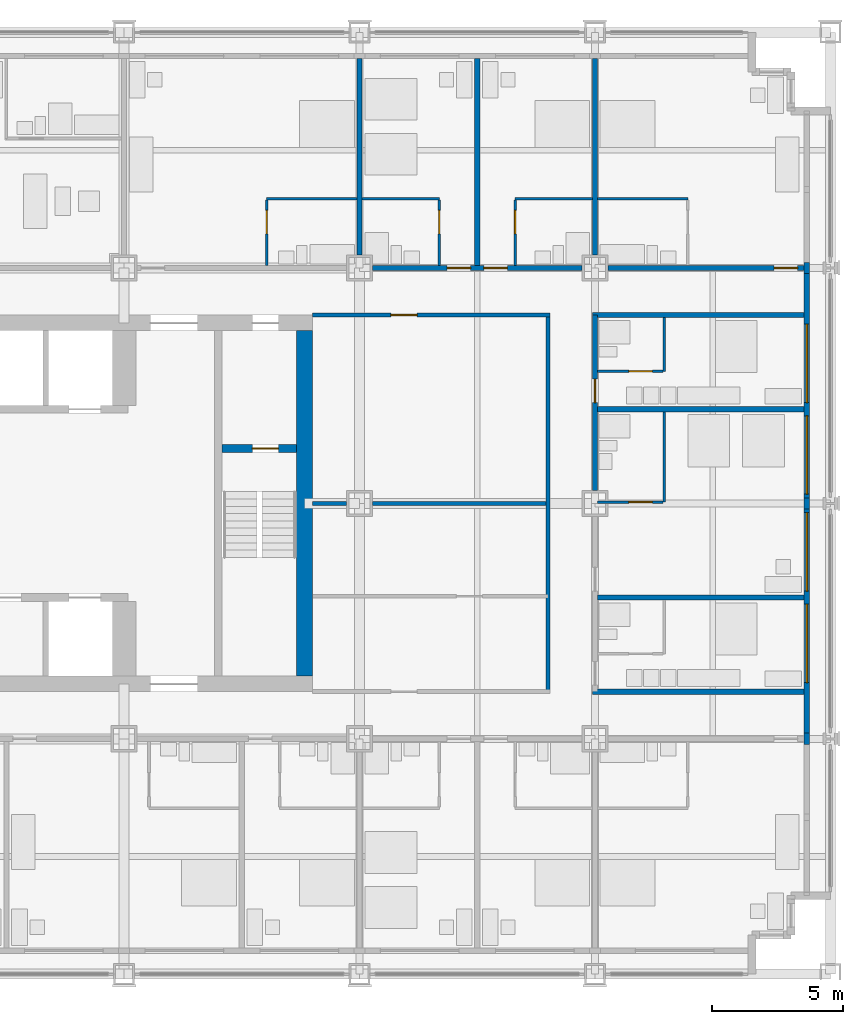
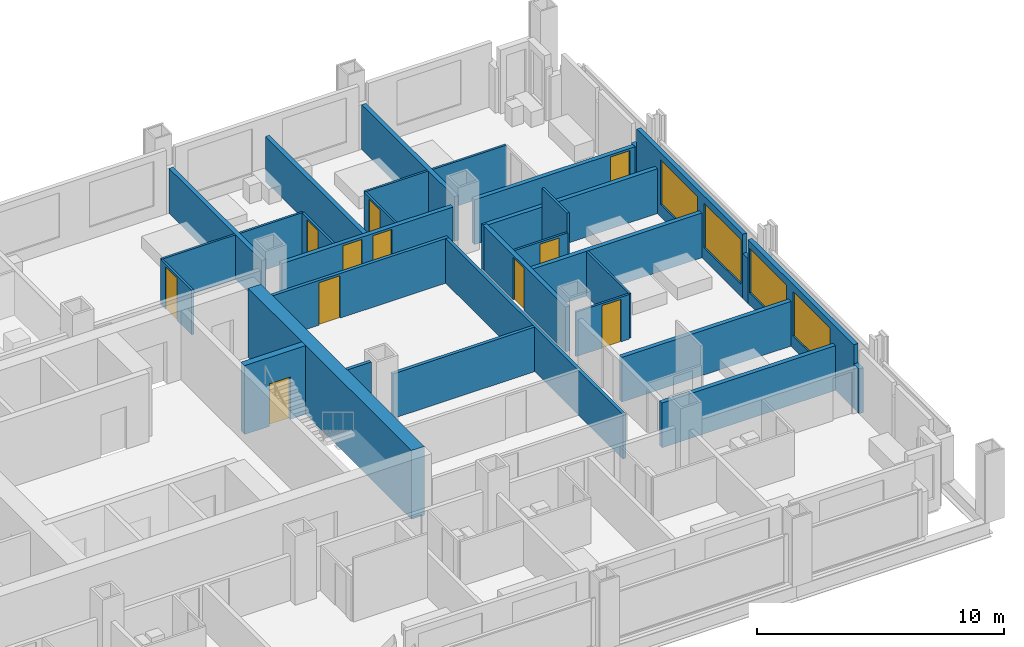
# One storey, part 14 of 19: 32 walls, 11 doors, 4 windows, 15 openings.
"""IFC4 building model written with IfcOpenShell, lengths in metres."""

from ifc_helpers import new_model, si_unit, direction, frame, frame_2d, origin, place, context, subcontext, project, spatial, rectangle, extrude, material, layer, layer_set, type_object, element, fill, save


model = new_model("IFC4")

# Units and contexts
model_context = context("Model", 3, precision=1e-05, world=origin(), true_north=direction((0.0, 1.0)))
body_context = subcontext(model_context, "Body", "Model", "MODEL_VIEW")
ifc_project = project(units=[si_unit("LENGTHUNIT", "METRE"), si_unit("AREAUNIT", "SQUARE_METRE"), si_unit("VOLUMEUNIT", "CUBIC_METRE"), si_unit("PLANEANGLEUNIT", "RADIAN"), si_unit("MASSUNIT", "GRAM", prefix="KILO")], contexts=[model_context])

# Site, building, storey
site_placement = place(None, origin())
site = spatial("IfcSite", under=ifc_project, at=site_placement, CompositionType="ELEMENT")
building_placement = place(site_placement, origin())
building = spatial("IfcBuilding", under=site, at=building_placement, Name="Loomwork Tower", CompositionType="ELEMENT")
storey_placement = place(building_placement, frame((0.0, 0.0, 85.800048828125)))
storey = spatial("IfcBuildingStorey", under=building, at=storey_placement, Name="L22", CompositionType="ELEMENT", Elevation=85.800048828125)

# Wall, opening, door
ifc_material_1 = material(Name="Concrete 14000 psi (97 MPa)", Category="concrete")
ifc_layer_1 = layer(ifc_material_1, 0.300048828125)
ifc_layer_set_1 = layer_set([ifc_layer_1], Name="Core shear wall 300")
wall_type_1 = type_object("IfcWallType", Name="Core shear wall 300", PredefinedType="SHEAR", material=ifc_layer_set_1)
wall_1_placement = place(storey_placement, frame((30.75, 20.10009765625, 0.0), z_axis=(0.0, 0.0, 1.0), x_axis=(1.0, 0.0, 0.0)))
wall_1 = element("IfcWall", 1, at=wall_1_placement, inside=storey, type_object=wall_type_1, Name="Stair B north wall L22", PredefinedType="SHEAR", context=body_context, shape_type="SweptSolid", body=[
    extrude(rectangle(XDim=2.85009765625, YDim=0.300048828125, at=frame_2d((1.425048828125, 0.0))), origin(), (0.0, 0.0, 1.0), 3.39990234375),
])
opening_1_placement = place(wall_1_placement, frame((1.14990234375, 0.0, 0.0)))
opening_1 = element("IfcOpeningElement", 2, at=opening_1_placement, cuts=wall_1, Name="Opening D4", PredefinedType="OPENING", context=body_context, shape_type="SweptSolid", body=[
    extrude(rectangle(XDim=1.0, YDim=2.10009765625, at=frame_2d((0.5, 1.050048828125))), frame((0.0, 0.159912109375, 0.0), z_axis=(0.0, -1.0, 0.0), x_axis=(1.0, 0.0, 0.0)), (0.0, 0.0, 1.0), 0.320068359375),
])
ifc_material_2 = material(Name="Hollow metal door and frame")
door_type_1 = type_object("IfcDoorType", Name="Stair door 1000", OperationType="SINGLE_SWING_RIGHT", PredefinedType="DOOR", material=ifc_material_2)
door_1_placement = place(opening_1_placement, frame((1.0, 0.0, 0.0), z_axis=(0.0, 0.0, 1.0), x_axis=(-1.0, 0.0, 0.0)))
door_1 = element("IfcDoor", 3, at=door_1_placement, inside=storey, type_object=door_type_1, Name="Stair B door", OperationType="SINGLE_SWING_LEFT", OverallHeight=2.10009765625, OverallWidth=1.0, PredefinedType="DOOR", context=body_context, shape_type="SweptSolid", body=[
    extrude(rectangle(XDim=1.0, YDim=2.10009765625, at=frame_2d((0.5, 1.050048828125))), frame((0.0, 0.02490234375, 0.0), z_axis=(0.0, -1.0, 0.0), x_axis=(1.0, 0.0, 0.0)), (0.0, 0.0, 1.0), 0.050048828125),
])
fill(opening_1, door_1)

# Wall
ifc_material_3 = material(Name="Concrete 14000 psi (97 MPa)", Category="concrete")
ifc_layer_2 = layer(ifc_material_3, 0.60009765625)
ifc_layer_set_2 = layer_set([ifc_layer_2], Name="Core shear wall 600")
wall_type_2 = type_object("IfcWallType", Name="Core shear wall 600", PredefinedType="SHEAR", material=ifc_layer_set_2)
wall_2_placement = place(storey_placement, frame((33.89990234375, 11.39990234375, 0.0), z_axis=(0.0, 0.0, 1.0), x_axis=(0.0, 1.0, 0.0)))
element("IfcWall", 4, at=wall_2_placement, inside=storey, type_object=wall_type_2, Name="Core wall east L22", PredefinedType="SHEAR", context=body_context, shape_type="SweptSolid", body=[
    extrude(rectangle(XDim=13.2001953125, YDim=0.60009765625, at=frame_2d((6.60009765625, 0.0))), origin(), (0.0, 0.0, 1.0), 3.39990234375),
])

# Wall, openings, doors
ifc_material_4 = material(Name="Gypsum board on steel studs, one-hour", Category="steel")
ifc_layer_3 = layer(ifc_material_4, 0.199951171875)
ifc_layer_set_3 = layer_set([ifc_layer_3], Name="Corridor wall 200")
wall_type_3 = type_object("IfcWallType", Name="Corridor wall 200", PredefinedType="PARTITIONING", material=ifc_layer_set_3)
wall_3_placement = place(storey_placement, frame((36.5, 27.0, 0.0), z_axis=(0.0, 0.0, 1.0), x_axis=(1.0, 0.0, 0.0)))
wall_3 = element("IfcWall", 5, at=wall_3_placement, inside=storey, type_object=wall_type_3, Name="North corridor wall 5", PredefinedType="PARTITIONING", context=body_context, shape_type="SweptSolid", body=[
    extrude(rectangle(XDim=8.0, YDim=0.199951171875, at=frame_2d((4.0, 0.0))), origin(), (0.0, 0.0, 1.0), 2.210205078125),
])
opening_2_placement = place(wall_3_placement, frame((2.85009765625, 0.0, 0.0)))
opening_2 = element("IfcOpeningElement", 6, at=opening_2_placement, cuts=wall_3, Name="Opening D1", PredefinedType="OPENING", context=body_context, shape_type="SweptSolid", body=[
    extrude(rectangle(XDim=0.89990234375, YDim=2.10009765625, at=frame_2d((0.449951171875, 1.050048828125))), frame((0.0, 0.10986328125, 0.0), z_axis=(0.0, -1.0, 0.0), x_axis=(1.0, 0.0, 0.0)), (0.0, 0.0, 1.0), 0.219970703125),
])
opening_3_placement = place(wall_3_placement, frame((4.25, 0.0, 0.0)))
opening_3 = element("IfcOpeningElement", 7, at=opening_3_placement, cuts=wall_3, Name="Opening D1", PredefinedType="OPENING", context=body_context, shape_type="SweptSolid", body=[
    extrude(rectangle(XDim=0.89990234375, YDim=2.10009765625, at=frame_2d((0.449951171875, 1.050048828125))), frame((0.0, 0.10986328125, 0.0), z_axis=(0.0, -1.0, 0.0), x_axis=(1.0, 0.0, 0.0)), (0.0, 0.0, 1.0), 0.219970703125),
])
ifc_material_5 = material(Name="Hollow metal door and frame")
door_type_2 = type_object("IfcDoorType", Name="Guest room entry door 900", OperationType="SINGLE_SWING_LEFT", PredefinedType="DOOR", material=ifc_material_5)
door_2_placement = place(opening_2_placement, origin())
door_2 = element("IfcDoor", 8, at=door_2_placement, inside=storey, type_object=door_type_2, Name="Guest room entry door L22 15", OperationType="SINGLE_SWING_RIGHT", OverallHeight=2.10009765625, OverallWidth=0.89990234375, PredefinedType="DOOR", context=body_context, shape_type="SweptSolid", body=[
    extrude(rectangle(XDim=0.89990234375, YDim=2.10009765625, at=frame_2d((0.449951171875, 1.050048828125))), frame((0.0, 0.02490234375, 0.0), z_axis=(0.0, -1.0, 0.0), x_axis=(1.0, 0.0, 0.0)), (0.0, 0.0, 1.0), 0.050048828125),
])
fill(opening_2, door_2)
door_3_placement = place(opening_3_placement, origin())
door_3 = element("IfcDoor", 9, at=door_3_placement, inside=storey, type_object=door_type_2, Name="Guest room entry door L22 16", OperationType="SINGLE_SWING_LEFT", OverallHeight=2.10009765625, OverallWidth=0.89990234375, PredefinedType="DOOR", context=body_context, shape_type="SweptSolid", body=[
    extrude(rectangle(XDim=0.89990234375, YDim=2.10009765625, at=frame_2d((0.449951171875, 1.050048828125))), frame((0.0, 0.02490234375, 0.0), z_axis=(0.0, -1.0, 0.0), x_axis=(1.0, 0.0, 0.0)), (0.0, 0.0, 1.0), 0.050048828125),
])
fill(opening_3, door_3)

# Wall, opening, door
wall_4_placement = place(storey_placement, frame((45.5, 27.0, 0.0), z_axis=(0.0, 0.0, 1.0), x_axis=(1.0, 0.0, 0.0)))
wall_4 = element("IfcWall", 10, at=wall_4_placement, inside=storey, type_object=wall_type_3, Name="North corridor wall 6", PredefinedType="PARTITIONING", context=body_context, shape_type="SweptSolid", body=[
    extrude(rectangle(XDim=7.5, YDim=0.199951171875, at=frame_2d((3.75, 0.0))), origin(), (0.0, 0.0, 1.0), 2.210205078125),
])
opening_4_placement = place(wall_4_placement, frame((6.35009765625, 0.0, 0.0)))
opening_4 = element("IfcOpeningElement", 11, at=opening_4_placement, cuts=wall_4, Name="Opening D1", PredefinedType="OPENING", context=body_context, shape_type="SweptSolid", body=[
    extrude(rectangle(XDim=0.89990234375, YDim=2.10009765625, at=frame_2d((0.449951171875, 1.050048828125))), frame((0.0, 0.10986328125, 0.0), z_axis=(0.0, -1.0, 0.0), x_axis=(1.0, 0.0, 0.0)), (0.0, 0.0, 1.0), 0.219970703125),
])
door_4_placement = place(opening_4_placement, origin())
door_4 = element("IfcDoor", 12, at=door_4_placement, inside=storey, type_object=door_type_2, Name="Guest room entry door L22 17", OperationType="SINGLE_SWING_RIGHT", OverallHeight=2.10009765625, OverallWidth=0.89990234375, PredefinedType="DOOR", context=body_context, shape_type="SweptSolid", body=[
    extrude(rectangle(XDim=0.89990234375, YDim=2.10009765625, at=frame_2d((0.449951171875, 1.050048828125))), frame((0.0, 0.02490234375, 0.0), z_axis=(0.0, -1.0, 0.0), x_axis=(1.0, 0.0, 0.0)), (0.0, 0.0, 1.0), 0.050048828125),
])
fill(opening_4, door_4)

wall_5_placement = place(storey_placement, frame((45.0, 18.5, 0.0), z_axis=(0.0, 0.0, 1.0), x_axis=(0.0, 1.0, 0.0)))
wall_5 = element("IfcWall", 13, at=wall_5_placement, inside=storey, type_object=wall_type_3, Name="East corridor wall 2", PredefinedType="PARTITIONING", context=body_context, shape_type="SweptSolid", body=[
    extrude(rectangle(XDim=6.699951171875, YDim=0.199951171875, at=frame_2d((3.35009765625, 0.0))), origin(), (0.0, 0.0, 1.0), 2.210205078125),
])
opening_5_placement = place(wall_5_placement, frame((3.35009765625, 0.0, 0.0)))
opening_5 = element("IfcOpeningElement", 14, at=opening_5_placement, cuts=wall_5, Name="Opening D1", PredefinedType="OPENING", context=body_context, shape_type="SweptSolid", body=[
    extrude(rectangle(XDim=0.89990234375, YDim=2.10009765625, at=frame_2d((0.449951171875, 1.050048828125))), frame((0.0, 0.10986328125, 0.0), z_axis=(0.0, -1.0, 0.0), x_axis=(1.0, 0.0, 0.0)), (0.0, 0.0, 1.0), 0.219970703125),
])
door_5_placement = place(opening_5_placement, frame((0.89990234375, 0.0, 0.0), z_axis=(0.0, 0.0, 1.0), x_axis=(-1.0, 0.0, 0.0)))
door_5 = element("IfcDoor", 15, at=door_5_placement, inside=storey, type_object=door_type_2, Name="Guest room entry door L22 23", OperationType="SINGLE_SWING_RIGHT", OverallHeight=2.10009765625, OverallWidth=0.89990234375, PredefinedType="DOOR", context=body_context, shape_type="SweptSolid", body=[
    extrude(rectangle(XDim=0.89990234375, YDim=2.10009765625, at=frame_2d((0.449951171875, 1.050048828125))), frame((0.0, 0.02490234375, 0.0), z_axis=(0.0, -1.0, 0.0), x_axis=(1.0, 0.0, 0.0)), (0.0, 0.0, 1.0), 0.050048828125),
])
fill(opening_5, door_5)

# Walls
for number, where, z_axis, x_axis, name in (
    (16, (44.89990234375, 10.800048828125, 0.0), (0.0, 0.0, 1.0), (1.0, 0.0, 0.0), "East band end wall S"),
    (17, (44.89990234375, 25.199951171875, 0.0), (0.0, 0.0, 1.0), (1.0, 0.0, 0.0), "East band end wall N"),
):
    element("IfcWall", number, at=place(storey_placement, frame(where, z_axis=z_axis, x_axis=x_axis)), inside=storey, type_object=wall_type_3, Name=name, PredefinedType="PARTITIONING", context=body_context, shape_type="SweptSolid", body=[
        extrude(rectangle(XDim=8.10009765625, YDim=0.199951171875, at=frame_2d((4.050048828125, 0.0))), origin(), (0.0, 0.0, 1.0), 2.2099609375),
    ])
ifc_material_6 = material(Name="Cement board on steel studs", Category="steel")
ifc_layer_4 = layer(ifc_material_6, 0.10009765625)
ifc_layer_set_4 = layer_set([ifc_layer_4], Name="En-suite partition 100")
wall_type_4 = type_object("IfcWallType", Name="En-suite partition 100", PredefinedType="PARTITIONING", material=ifc_layer_set_4)
wall_6_placement = place(storey_placement, frame((32.449951171875, 29.64990234375, 0.0), z_axis=(0.0, 0.0, 1.0), x_axis=(1.0, 0.0, 0.0)))
element("IfcWall", 18, at=wall_6_placement, inside=storey, type_object=wall_type_4, Name="En-suite wall L22 room 14", PredefinedType="PARTITIONING", context=body_context, shape_type="SweptSolid", body=[
    extrude(rectangle(XDim=3.449951171875, YDim=0.10009765625, at=frame_2d((1.72509765625, 0.0))), origin(), (0.0, 0.0, 1.0), 2.2099609375),
])

# Wall, opening, door
wall_7_placement = place(storey_placement, frame((32.449951171875, 27.10009765625, 0.0), z_axis=(0.0, 0.0, 1.0), x_axis=(0.0, 1.0, 0.0)))
wall_7 = element("IfcWall", 19, at=wall_7_placement, inside=storey, type_object=wall_type_4, Name="En-suite side wall L22 room 14", PredefinedType="PARTITIONING", context=body_context, shape_type="SweptSolid", body=[
    extrude(rectangle(XDim=2.5, YDim=0.10009765625, at=frame_2d((1.25, 0.0))), origin(), (0.0, 0.0, 1.0), 2.2099609375),
])
opening_6_placement = place(wall_7_placement, frame((1.199951171875, 0.0, 0.0)))
opening_6 = element("IfcOpeningElement", 20, at=opening_6_placement, cuts=wall_7, Name="Opening D2", PredefinedType="OPENING", context=body_context, shape_type="SweptSolid", body=[
    extrude(rectangle(XDim=0.89990234375, YDim=2.10009765625, at=frame_2d((0.449951171875, 1.050048828125))), frame((0.0, 0.06005859375, 0.0), z_axis=(0.0, -1.0, 0.0), x_axis=(1.0, 0.0, 0.0)), (0.0, 0.0, 1.0), 0.1201171875),
])
ifc_material_7 = material(Name="Hollow metal door and frame")
door_type_3 = type_object("IfcDoorType", Name="En-suite door 900", OperationType="SINGLE_SWING_LEFT", PredefinedType="DOOR", material=ifc_material_7)
door_6_placement = place(opening_6_placement, frame((0.89990234375, 0.0, 0.0), z_axis=(0.0, 0.0, 1.0), x_axis=(-1.0, 0.0, 0.0)))
door_6 = element("IfcDoor", 21, at=door_6_placement, inside=storey, type_object=door_type_3, Name="En-suite door room 14", OperationType="SINGLE_SWING_LEFT", OverallHeight=2.10009765625, OverallWidth=0.89990234375, PredefinedType="DOOR", context=body_context, shape_type="SweptSolid", body=[
    extrude(rectangle(XDim=0.89990234375, YDim=2.10009765625, at=frame_2d((0.449951171875, 1.050048828125))), frame((0.0, 0.02490234375, 0.0), z_axis=(0.0, -1.0, 0.0), x_axis=(1.0, 0.0, 0.0)), (0.0, 0.0, 1.0), 0.050048828125),
])
fill(opening_6, door_6)

# Wall
wall_8_placement = place(storey_placement, frame((36.10009765625, 29.64990234375, 0.0), z_axis=(0.0, 0.0, 1.0), x_axis=(1.0, 0.0, 0.0)))
element("IfcWall", 22, at=wall_8_placement, inside=storey, type_object=wall_type_4, Name="En-suite wall L22 room 15", PredefinedType="PARTITIONING", context=body_context, shape_type="SweptSolid", body=[
    extrude(rectangle(XDim=2.949951171875, YDim=0.10009765625, at=frame_2d((1.47509765625, 0.0))), origin(), (0.0, 0.0, 1.0), 2.2099609375),
])

# Wall, opening, door
wall_9_placement = place(storey_placement, frame((39.050048828125, 27.10009765625, 0.0), z_axis=(0.0, 0.0, 1.0), x_axis=(0.0, 1.0, 0.0)))
wall_9 = element("IfcWall", 23, at=wall_9_placement, inside=storey, type_object=wall_type_4, Name="En-suite side wall L22 room 15", PredefinedType="PARTITIONING", context=body_context, shape_type="SweptSolid", body=[
    extrude(rectangle(XDim=2.5, YDim=0.10009765625, at=frame_2d((1.25, 0.0))), origin(), (0.0, 0.0, 1.0), 2.2099609375),
])
opening_7_placement = place(wall_9_placement, frame((1.199951171875, 0.0, 0.0)))
opening_7 = element("IfcOpeningElement", 24, at=opening_7_placement, cuts=wall_9, Name="Opening D2", PredefinedType="OPENING", context=body_context, shape_type="SweptSolid", body=[
    extrude(rectangle(XDim=0.89990234375, YDim=2.10009765625, at=frame_2d((0.449951171875, 1.050048828125))), frame((0.0, 0.06005859375, 0.0), z_axis=(0.0, -1.0, 0.0), x_axis=(1.0, 0.0, 0.0)), (0.0, 0.0, 1.0), 0.1201171875),
])
door_7_placement = place(opening_7_placement, origin())
door_7 = element("IfcDoor", 25, at=door_7_placement, inside=storey, type_object=door_type_3, Name="En-suite door room 15", OperationType="SINGLE_SWING_RIGHT", OverallHeight=2.10009765625, OverallWidth=0.89990234375, PredefinedType="DOOR", context=body_context, shape_type="SweptSolid", body=[
    extrude(rectangle(XDim=0.89990234375, YDim=2.10009765625, at=frame_2d((0.449951171875, 1.050048828125))), frame((0.0, 0.02490234375, 0.0), z_axis=(0.0, -1.0, 0.0), x_axis=(1.0, 0.0, 0.0)), (0.0, 0.0, 1.0), 0.050048828125),
])
fill(opening_7, door_7)

# Wall
wall_10_placement = place(storey_placement, frame((41.949951171875, 29.64990234375, 0.0), z_axis=(0.0, 0.0, 1.0), x_axis=(1.0, 0.0, 0.0)))
element("IfcWall", 26, at=wall_10_placement, inside=storey, type_object=wall_type_4, Name="En-suite wall L22 room 16", PredefinedType="PARTITIONING", context=body_context, shape_type="SweptSolid", body=[
    extrude(rectangle(XDim=2.949951171875, YDim=0.10009765625, at=frame_2d((1.47509765625, 0.0))), origin(), (0.0, 0.0, 1.0), 2.2099609375),
])

# Wall, opening, door
wall_11_placement = place(storey_placement, frame((41.949951171875, 27.10009765625, 0.0), z_axis=(0.0, 0.0, 1.0), x_axis=(0.0, 1.0, 0.0)))
wall_11 = element("IfcWall", 27, at=wall_11_placement, inside=storey, type_object=wall_type_4, Name="En-suite side wall L22 room 16", PredefinedType="PARTITIONING", context=body_context, shape_type="SweptSolid", body=[
    extrude(rectangle(XDim=2.5, YDim=0.10009765625, at=frame_2d((1.25, 0.0))), origin(), (0.0, 0.0, 1.0), 2.2099609375),
])
opening_8_placement = place(wall_11_placement, frame((1.199951171875, 0.0, 0.0)))
opening_8 = element("IfcOpeningElement", 28, at=opening_8_placement, cuts=wall_11, Name="Opening D2", PredefinedType="OPENING", context=body_context, shape_type="SweptSolid", body=[
    extrude(rectangle(XDim=0.89990234375, YDim=2.10009765625, at=frame_2d((0.449951171875, 1.050048828125))), frame((0.0, 0.06005859375, 0.0), z_axis=(0.0, -1.0, 0.0), x_axis=(1.0, 0.0, 0.0)), (0.0, 0.0, 1.0), 0.1201171875),
])
door_8_placement = place(opening_8_placement, frame((0.89990234375, 0.0, 0.0), z_axis=(0.0, 0.0, 1.0), x_axis=(-1.0, 0.0, 0.0)))
door_8 = element("IfcDoor", 29, at=door_8_placement, inside=storey, type_object=door_type_3, Name="En-suite door room 16", OperationType="SINGLE_SWING_LEFT", OverallHeight=2.10009765625, OverallWidth=0.89990234375, PredefinedType="DOOR", context=body_context, shape_type="SweptSolid", body=[
    extrude(rectangle(XDim=0.89990234375, YDim=2.10009765625, at=frame_2d((0.449951171875, 1.050048828125))), frame((0.0, 0.02490234375, 0.0), z_axis=(0.0, -1.0, 0.0), x_axis=(1.0, 0.0, 0.0)), (0.0, 0.0, 1.0), 0.050048828125),
])
fill(opening_8, door_8)

# Walls
wall_12_placement = place(storey_placement, frame((45.10009765625, 29.64990234375, 0.0), z_axis=(0.0, 0.0, 1.0), x_axis=(1.0, 0.0, 0.0)))
element("IfcWall", 30, at=wall_12_placement, inside=storey, type_object=wall_type_4, Name="En-suite wall L22 room 17", PredefinedType="PARTITIONING", context=body_context, shape_type="SweptSolid", body=[
    extrude(rectangle(XDim=3.449951171875, YDim=0.10009765625, at=frame_2d((1.72509765625, 0.0))), origin(), (0.0, 0.0, 1.0), 2.2099609375),
])
wall_13_placement = place(storey_placement, frame((47.64990234375, 18.050048828125, 0.0), z_axis=(0.0, 0.0, 1.0), x_axis=(0.0, 1.0, 0.0)))
element("IfcWall", 31, at=wall_13_placement, inside=storey, type_object=wall_type_4, Name="En-suite wall L22 room 22", PredefinedType="PARTITIONING", context=body_context, shape_type="SweptSolid", body=[
    extrude(rectangle(XDim=3.449951171875, YDim=0.10009765625, at=frame_2d((1.72509765625, 0.0))), origin(), (0.0, 0.0, 1.0), 2.201904296875),
])

# Wall, opening, door
wall_14_placement = place(storey_placement, frame((45.10009765625, 18.050048828125, 0.0), z_axis=(0.0, 0.0, 1.0), x_axis=(1.0, 0.0, 0.0)))
wall_14 = element("IfcWall", 32, at=wall_14_placement, inside=storey, type_object=wall_type_4, Name="En-suite side wall L22 room 22", PredefinedType="PARTITIONING", context=body_context, shape_type="SweptSolid", body=[
    extrude(rectangle(XDim=2.5, YDim=0.10009765625, at=frame_2d((1.25, 0.0))), origin(), (0.0, 0.0, 1.0), 2.20263671875),
])
opening_9_placement = place(wall_14_placement, frame((1.199951171875, 0.0, 0.0)))
opening_9 = element("IfcOpeningElement", 33, at=opening_9_placement, cuts=wall_14, Name="Opening D2", PredefinedType="OPENING", context=body_context, shape_type="SweptSolid", body=[
    extrude(rectangle(XDim=0.89990234375, YDim=2.10009765625, at=frame_2d((0.449951171875, 1.050048828125))), frame((0.0, 0.06005859375, 0.0), z_axis=(0.0, -1.0, 0.0), x_axis=(1.0, 0.0, 0.0)), (0.0, 0.0, 1.0), 0.1201171875),
])
door_9_placement = place(opening_9_placement, origin())
door_9 = element("IfcDoor", 34, at=door_9_placement, inside=storey, type_object=door_type_3, Name="En-suite door room 22", OperationType="SINGLE_SWING_RIGHT", OverallHeight=2.10009765625, OverallWidth=0.89990234375, PredefinedType="DOOR", context=body_context, shape_type="SweptSolid", body=[
    extrude(rectangle(XDim=0.89990234375, YDim=2.10009765625, at=frame_2d((0.449951171875, 1.050048828125))), frame((0.0, 0.02490234375, 0.0), z_axis=(0.0, -1.0, 0.0), x_axis=(1.0, 0.0, 0.0)), (0.0, 0.0, 1.0), 0.050048828125),
])
fill(opening_9, door_9)

# Wall
wall_15_placement = place(storey_placement, frame((47.64990234375, 23.050048828125, 0.0), z_axis=(0.0, 0.0, 1.0), x_axis=(0.0, 1.0, 0.0)))
element("IfcWall", 35, at=wall_15_placement, inside=storey, type_object=wall_type_4, Name="En-suite wall L22 room 23", PredefinedType="PARTITIONING", context=body_context, shape_type="SweptSolid", body=[
    extrude(rectangle(XDim=2.050048828125, YDim=0.10009765625, at=frame_2d((1.02490234375, 0.0))), origin(), (0.0, 0.0, 1.0), 3.14990234375),
])

# Wall, opening, door
wall_16_placement = place(storey_placement, frame((45.10009765625, 23.050048828125, 0.0), z_axis=(0.0, 0.0, 1.0), x_axis=(1.0, 0.0, 0.0)))
wall_16 = element("IfcWall", 36, at=wall_16_placement, inside=storey, type_object=wall_type_4, Name="En-suite side wall L22 room 23", PredefinedType="PARTITIONING", context=body_context, shape_type="SweptSolid", body=[
    extrude(rectangle(XDim=2.5, YDim=0.10009765625, at=frame_2d((1.25, 0.0))), origin(), (0.0, 0.0, 1.0), 2.2099609375),
])
opening_10_placement = place(wall_16_placement, frame((1.199951171875, 0.0, 0.0)))
opening_10 = element("IfcOpeningElement", 37, at=opening_10_placement, cuts=wall_16, Name="Opening D2", PredefinedType="OPENING", context=body_context, shape_type="SweptSolid", body=[
    extrude(rectangle(XDim=0.89990234375, YDim=2.10009765625, at=frame_2d((0.449951171875, 1.050048828125))), frame((0.0, 0.06005859375, 0.0), z_axis=(0.0, -1.0, 0.0), x_axis=(1.0, 0.0, 0.0)), (0.0, 0.0, 1.0), 0.1201171875),
])
door_10_placement = place(opening_10_placement, origin())
door_10 = element("IfcDoor", 38, at=door_10_placement, inside=storey, type_object=door_type_3, Name="En-suite door room 23", OperationType="SINGLE_SWING_RIGHT", OverallHeight=2.10009765625, OverallWidth=0.89990234375, PredefinedType="DOOR", context=body_context, shape_type="SweptSolid", body=[
    extrude(rectangle(XDim=0.89990234375, YDim=2.10009765625, at=frame_2d((0.449951171875, 1.050048828125))), frame((0.0, 0.02490234375, 0.0), z_axis=(0.0, -1.0, 0.0), x_axis=(1.0, 0.0, 0.0)), (0.0, 0.0, 1.0), 0.050048828125),
])
fill(opening_10, door_10)

# Walls
ifc_material_8 = material(Name="Gypsum board on steel studs, acoustic", Category="steel")
ifc_layer_5 = layer(ifc_material_8, 0.199951171875)
ifc_layer_set_5 = layer_set([ifc_layer_5], Name="Guest room party wall 200")
wall_type_5 = type_object("IfcWallType", Name="Guest room party wall 200", PredefinedType="PARTITIONING", material=ifc_layer_set_5)
wall_17_placement = place(storey_placement, frame((36.0, 27.5, 0.0), z_axis=(0.0, 0.0, 1.0), x_axis=(0.0, 1.0, 0.0)))
element("IfcWall", 39, at=wall_17_placement, inside=storey, type_object=wall_type_5, Name="Guest room party wall N 36", PredefinedType="PARTITIONING", context=body_context, shape_type="SweptSolid", body=[
    extrude(rectangle(XDim=7.5, YDim=0.199951171875, at=frame_2d((3.75, 0.0))), origin(), (0.0, 0.0, 1.0), 2.210205078125),
])
wall_18_placement = place(storey_placement, frame((40.5, 27.10009765625, 0.0), z_axis=(0.0, 0.0, 1.0), x_axis=(0.0, 1.0, 0.0)))
element("IfcWall", 40, at=wall_18_placement, inside=storey, type_object=wall_type_5, Name="Guest room party wall N 40.5", PredefinedType="PARTITIONING", context=body_context, shape_type="SweptSolid", body=[
    extrude(rectangle(XDim=7.89990234375, YDim=0.199951171875, at=frame_2d((3.949951171875, 0.0))), origin(), (0.0, 0.0, 1.0), 2.2099609375),
])
wall_19_placement = place(storey_placement, frame((45.0, 27.5, 0.0), z_axis=(0.0, 0.0, 1.0), x_axis=(0.0, 1.0, 0.0)))
element("IfcWall", 41, at=wall_19_placement, inside=storey, type_object=wall_type_5, Name="Guest room party wall N 45", PredefinedType="PARTITIONING", context=body_context, shape_type="SweptSolid", body=[
    extrude(rectangle(XDim=7.5, YDim=0.199951171875, at=frame_2d((3.75, 0.0))), origin(), (0.0, 0.0, 1.0), 2.210205078125),
])
for number, where, z_axis, x_axis, name in (
    (42, (45.10009765625, 14.39990234375, 0.0), (0.0, 0.0, 1.0), (1.0, 0.0, 0.0), "Guest room party wall E 14.4"),
    (43, (45.10009765625, 21.60009765625, 0.0), (0.0, 0.0, 1.0), (1.0, 0.0, 0.0), "Guest room party wall E 21.6"),
):
    element("IfcWall", number, at=place(storey_placement, frame(where, z_axis=z_axis, x_axis=x_axis)), inside=storey, type_object=wall_type_5, Name=name, PredefinedType="PARTITIONING", context=body_context, shape_type="SweptSolid", body=[
        extrude(rectangle(XDim=7.89990234375, YDim=0.199951171875, at=frame_2d((3.949951171875, 0.0))), origin(), (0.0, 0.0, 1.0), 2.2099609375),
    ])
ifc_material_9 = material(Name="Insulated steel stud wall with gypsum lining", Category="steel")
ifc_layer_6 = layer(ifc_material_9, 0.199951171875)
ifc_layer_set_6 = layer_set([ifc_layer_6], Name="Inner skin wall 200")
wall_type_6 = type_object("IfcWallType", Name="Inner skin wall 200", PredefinedType="SOLIDWALL", material=ifc_layer_set_6)
wall_20_placement = place(storey_placement, frame((53.10009765625, 8.78466796875, 0.0), z_axis=(0.0, 0.0, 1.0), x_axis=(0.0, 1.0, 0.0)))
element("IfcWall", 44, at=wall_20_placement, inside=storey, type_object=wall_type_6, Name="Inner skin wall E bay 5", PredefinedType="SOLIDWALL", context=body_context, shape_type="SweptSolid", body=[
    extrude(rectangle(XDim=0.4306640625, YDim=0.199951171875, at=frame_2d((0.21533203125, 0.0))), origin(), (0.0, 0.0, 1.0), 2.2099609375),
])

# Wall, openings, windows
wall_21_placement = place(storey_placement, frame((53.10009765625, 9.21533203125, 0.0), z_axis=(0.0, 0.0, 1.0), x_axis=(0.0, 1.0, 0.0)))
wall_21 = element("IfcWall", 45, at=wall_21_placement, inside=storey, type_object=wall_type_6, Name="Inner skin wall E bay 6", PredefinedType="SOLIDWALL", context=body_context, shape_type="SweptSolid", body=[
    extrude(rectangle(XDim=8.570556640625, YDim=0.199951171875, at=frame_2d((4.28515625, 0.0))), origin(), (0.0, 0.0, 1.0), 3.14990234375),
])
opening_11_placement = place(wall_21_placement, frame((1.9345703125, 0.0, 0.60009765625)))
opening_11 = element("IfcOpeningElement", 46, at=opening_11_placement, cuts=wall_21, Name="Opening CH1", PredefinedType="OPENING", context=body_context, shape_type="SweptSolid", body=[
    extrude(rectangle(XDim=3.0, YDim=2.199951171875, at=frame_2d((1.5, 1.10009765625))), frame((0.0, 0.10986328125, 0.0), z_axis=(0.0, -1.0, 0.0), x_axis=(1.0, 0.0, 0.0)), (0.0, 0.0, 1.0), 0.219970703125),
])
opening_12_placement = place(wall_21_placement, frame((5.4345703125, 0.0, 0.60009765625)))
opening_12 = element("IfcOpeningElement", 47, at=opening_12_placement, cuts=wall_21, Name="Opening CH1", PredefinedType="OPENING", context=body_context, shape_type="SweptSolid", body=[
    extrude(rectangle(XDim=3.0, YDim=2.199951171875, at=frame_2d((1.5, 1.10009765625))), frame((0.0, 0.10986328125, 0.0), z_axis=(0.0, -1.0, 0.0), x_axis=(1.0, 0.0, 0.0)), (0.0, 0.0, 1.0), 0.219970703125),
])
ifc_material_10 = material(Name="Aluminium frame with clear insulated glass", Category="aluminium")
window_type = type_object("IfcWindowType", Name="Chicago window 3000", PartitioningType="TRIPLE_PANEL_VERTICAL", PredefinedType="WINDOW", material=ifc_material_10)
window_1_placement = place(opening_11_placement, origin())
window_1 = element("IfcWindow", 48, at=window_1_placement, inside=storey, type_object=window_type, Name="Chicago window L22 bay 15", OverallHeight=2.199951171875, OverallWidth=3.0, PartitioningType="TRIPLE_PANEL_VERTICAL", PredefinedType="WINDOW", context=body_context, shape_type="SweptSolid", body=[
    extrude(rectangle(XDim=3.0, YDim=2.199951171875, at=frame_2d((1.5, 1.10009765625))), frame((0.0, 0.030029296875, 0.0), z_axis=(0.0, -1.0, 0.0), x_axis=(1.0, 0.0, 0.0)), (0.0, 0.0, 1.0), 0.06005859375),
])
fill(opening_11, window_1)
window_2_placement = place(opening_12_placement, origin())
window_2 = element("IfcWindow", 49, at=window_2_placement, inside=storey, type_object=window_type, Name="Chicago window L22 bay 15", OverallHeight=2.199951171875, OverallWidth=3.0, PartitioningType="TRIPLE_PANEL_VERTICAL", PredefinedType="WINDOW", context=body_context, shape_type="SweptSolid", body=[
    extrude(rectangle(XDim=3.0, YDim=2.199951171875, at=frame_2d((1.5, 1.10009765625))), frame((0.0, 0.030029296875, 0.0), z_axis=(0.0, -1.0, 0.0), x_axis=(1.0, 0.0, 0.0)), (0.0, 0.0, 1.0), 0.06005859375),
])
fill(opening_12, window_2)

# Wall
wall_22_placement = place(storey_placement, frame((53.10009765625, 17.785888671875, 0.0), z_axis=(0.0, 0.0, 1.0), x_axis=(0.0, 1.0, 0.0)))
element("IfcWall", 50, at=wall_22_placement, inside=storey, type_object=wall_type_6, Name="Inner skin wall E bay 7", PredefinedType="SOLIDWALL", context=body_context, shape_type="SweptSolid", body=[
    extrude(rectangle(XDim=0.42822265625, YDim=0.199951171875, at=frame_2d((0.214111328125, 0.0))), origin(), (0.0, 0.0, 1.0), 2.201904296875),
])

# Wall, openings, windows
wall_23_placement = place(storey_placement, frame((53.10009765625, 18.214111328125, 0.0), z_axis=(0.0, 0.0, 1.0), x_axis=(0.0, 1.0, 0.0)))
wall_23 = element("IfcWall", 51, at=wall_23_placement, inside=storey, type_object=wall_type_6, Name="Inner skin wall E bay 8", PredefinedType="SOLIDWALL", context=body_context, shape_type="SweptSolid", body=[
    extrude(rectangle(XDim=8.570556640625, YDim=0.199951171875, at=frame_2d((4.28515625, 0.0))), origin(), (0.0, 0.0, 1.0), 3.14990234375),
])
opening_13_placement = place(wall_23_placement, frame((0.135986328125, 0.0, 0.60009765625)))
opening_13 = element("IfcOpeningElement", 52, at=opening_13_placement, cuts=wall_23, Name="Opening CH1", PredefinedType="OPENING", context=body_context, shape_type="SweptSolid", body=[
    extrude(rectangle(XDim=3.0, YDim=2.199951171875, at=frame_2d((1.5, 1.10009765625))), frame((0.0, 0.10986328125, 0.0), z_axis=(0.0, -1.0, 0.0), x_axis=(1.0, 0.0, 0.0)), (0.0, 0.0, 1.0), 0.219970703125),
])
opening_14_placement = place(wall_23_placement, frame((3.635986328125, 0.0, 0.60009765625)))
opening_14 = element("IfcOpeningElement", 53, at=opening_14_placement, cuts=wall_23, Name="Opening CH1", PredefinedType="OPENING", context=body_context, shape_type="SweptSolid", body=[
    extrude(rectangle(XDim=3.0, YDim=2.199951171875, at=frame_2d((1.5, 1.10009765625))), frame((0.0, 0.10986328125, 0.0), z_axis=(0.0, -1.0, 0.0), x_axis=(1.0, 0.0, 0.0)), (0.0, 0.0, 1.0), 0.219970703125),
])
window_3_placement = place(opening_13_placement, origin())
window_3 = element("IfcWindow", 54, at=window_3_placement, inside=storey, type_object=window_type, Name="Chicago window L22 bay 16", OverallHeight=2.199951171875, OverallWidth=3.0, PartitioningType="TRIPLE_PANEL_VERTICAL", PredefinedType="WINDOW", context=body_context, shape_type="SweptSolid", body=[
    extrude(rectangle(XDim=3.0, YDim=2.199951171875, at=frame_2d((1.5, 1.10009765625))), frame((0.0, 0.030029296875, 0.0), z_axis=(0.0, -1.0, 0.0), x_axis=(1.0, 0.0, 0.0)), (0.0, 0.0, 1.0), 0.06005859375),
])
fill(opening_13, window_3)
window_4_placement = place(opening_14_placement, origin())
window_4 = element("IfcWindow", 55, at=window_4_placement, inside=storey, type_object=window_type, Name="Chicago window L22 bay 16", OverallHeight=2.199951171875, OverallWidth=3.0, PartitioningType="TRIPLE_PANEL_VERTICAL", PredefinedType="WINDOW", context=body_context, shape_type="SweptSolid", body=[
    extrude(rectangle(XDim=3.0, YDim=2.199951171875, at=frame_2d((1.5, 1.10009765625))), frame((0.0, 0.030029296875, 0.0), z_axis=(0.0, -1.0, 0.0), x_axis=(1.0, 0.0, 0.0)), (0.0, 0.0, 1.0), 0.06005859375),
])
fill(opening_14, window_4)

# Wall
wall_24_placement = place(storey_placement, frame((53.10009765625, 26.78466796875, 0.0), z_axis=(0.0, 0.0, 1.0), x_axis=(0.0, 1.0, 0.0)))
element("IfcWall", 56, at=wall_24_placement, inside=storey, type_object=wall_type_6, Name="Inner skin wall E bay 9", PredefinedType="SOLIDWALL", context=body_context, shape_type="SweptSolid", body=[
    extrude(rectangle(XDim=0.4306640625, YDim=0.199951171875, at=frame_2d((0.21533203125, 0.0))), origin(), (0.0, 0.0, 1.0), 2.2099609375),
])

# Wall, opening, door
ifc_material_11 = material(Name="Gypsum board on steel studs, one-hour", Category="steel")
ifc_layer_7 = layer(ifc_material_11, 0.14990234375)
ifc_layer_set_7 = layer_set([ifc_layer_7], Name="Service partition 150")
wall_type_7 = type_object("IfcWallType", Name="Service partition 150", PredefinedType="PARTITIONING", material=ifc_layer_set_7)
wall_25_placement = place(storey_placement, frame((34.199951171875, 25.199951171875, 0.0), z_axis=(0.0, 0.0, 1.0), x_axis=(1.0, 0.0, 0.0)))
wall_25 = element("IfcWall", 57, at=wall_25_placement, inside=storey, type_object=wall_type_7, Name="Service block wall N", PredefinedType="PARTITIONING", context=body_context, shape_type="SweptSolid", body=[
    extrude(rectangle(XDim=9.074951171875, YDim=0.14990234375, at=frame_2d((4.53759765625, 0.0))), origin(), (0.0, 0.0, 1.0), 2.2099609375),
])
opening_15_placement = place(wall_25_placement, frame((3.0, 0.0, 0.0)))
opening_15 = element("IfcOpeningElement", 58, at=opening_15_placement, cuts=wall_25, Name="Opening D5", PredefinedType="OPENING", context=body_context, shape_type="SweptSolid", body=[
    extrude(rectangle(XDim=1.0, YDim=2.10009765625, at=frame_2d((0.5, 1.050048828125))), frame((0.0, 0.0849609375, 0.0), z_axis=(0.0, -1.0, 0.0), x_axis=(1.0, 0.0, 0.0)), (0.0, 0.0, 1.0), 0.169921875),
])
ifc_material_12 = material(Name="Hollow metal door and frame")
door_type_4 = type_object("IfcDoorType", Name="Service door 1000", OperationType="SINGLE_SWING_LEFT", PredefinedType="DOOR", material=ifc_material_12)
door_11_placement = place(opening_15_placement, frame((1.0, 0.0, 0.0), z_axis=(0.0, 0.0, 1.0), x_axis=(-1.0, 0.0, 0.0)))
door_11 = element("IfcDoor", 59, at=door_11_placement, inside=storey, type_object=door_type_4, Name="Riser room door", OperationType="SINGLE_SWING_LEFT", OverallHeight=2.10009765625, OverallWidth=1.0, PredefinedType="DOOR", context=body_context, shape_type="SweptSolid", body=[
    extrude(rectangle(XDim=1.0, YDim=2.10009765625, at=frame_2d((0.5, 1.050048828125))), frame((0.0, 0.02490234375, 0.0), z_axis=(0.0, -1.0, 0.0), x_axis=(1.0, 0.0, 0.0)), (0.0, 0.0, 1.0), 0.050048828125),
])
fill(opening_15, door_11)

# Walls
wall_26_placement = place(storey_placement, frame((43.199951171875, 10.800048828125, 0.0), z_axis=(0.0, 0.0, 1.0), x_axis=(0.0, 1.0, 0.0)))
element("IfcWall", 60, at=wall_26_placement, inside=storey, type_object=wall_type_7, Name="Service block east wall", PredefinedType="PARTITIONING", context=body_context, shape_type="SweptSolid", body=[
    extrude(rectangle(XDim=14.39990234375, YDim=0.14990234375, at=frame_2d((7.199951171875, 0.0))), origin(), (0.0, 0.0, 1.0), 2.201904296875),
])
wall_27_placement = place(storey_placement, frame((34.199951171875, 18.0, 0.0), z_axis=(0.0, 0.0, 1.0), x_axis=(1.0, 0.0, 0.0)))
element("IfcWall", 61, at=wall_27_placement, inside=storey, type_object=wall_type_7, Name="Service block divider", PredefinedType="PARTITIONING", context=body_context, shape_type="SweptSolid", body=[
    extrude(rectangle(XDim=1.300048828125, YDim=0.14990234375, at=frame_2d((0.64990234375, 0.0))), origin(), (0.0, 0.0, 1.0), 3.14990234375),
])
wall_28_placement = place(storey_placement, frame((36.5, 18.0, 0.0), z_axis=(0.0, 0.0, 1.0), x_axis=(1.0, 0.0, 0.0)))
element("IfcWall", 62, at=wall_28_placement, inside=storey, type_object=wall_type_7, Name="Service block divider", PredefinedType="PARTITIONING", context=body_context, shape_type="SweptSolid", body=[
    extrude(rectangle(XDim=6.625, YDim=0.14990234375, at=frame_2d((3.3125, 0.0))), origin(), (0.0, 0.0, 1.0), 2.20263671875),
])

save(model, "model.ifc")
